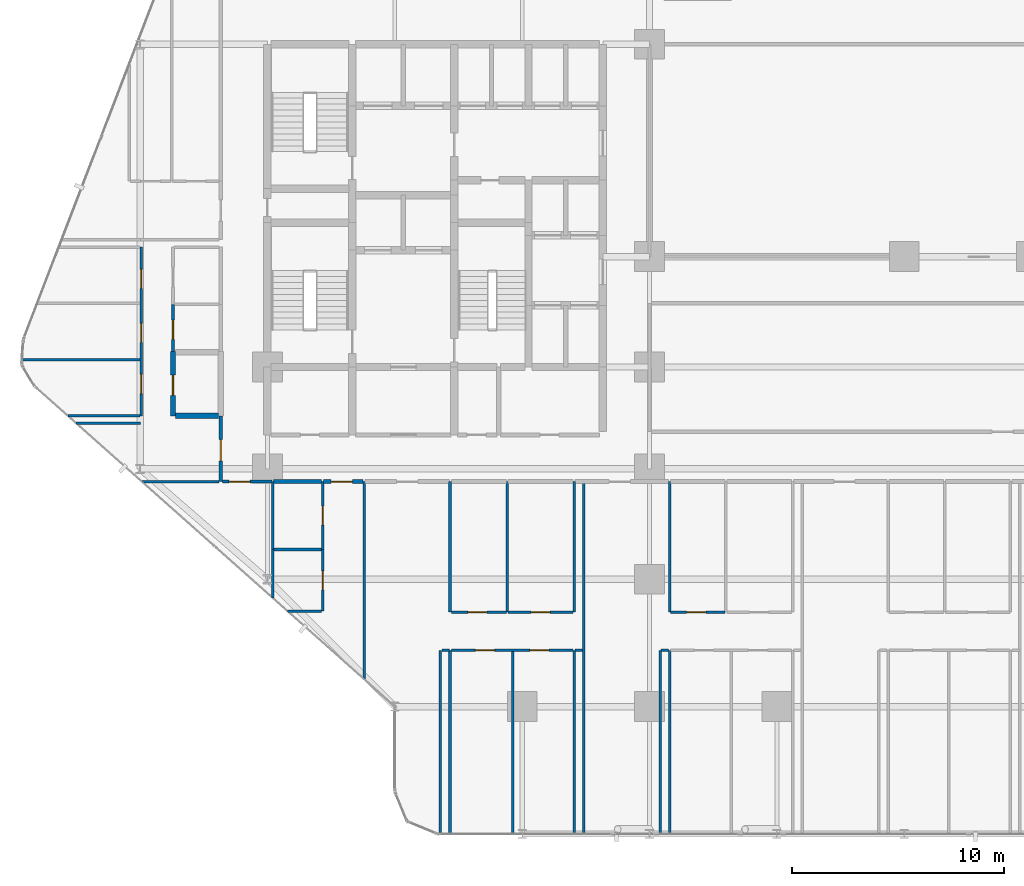
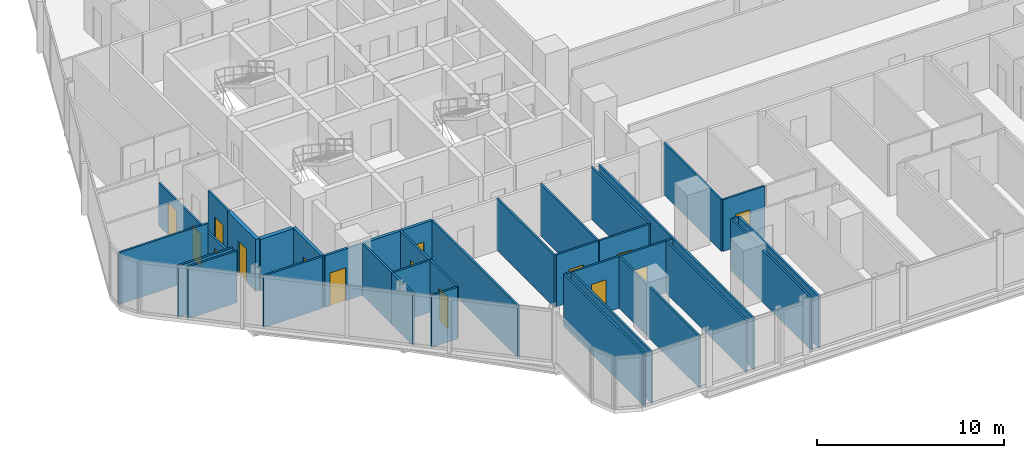
# One storey, part 26 of 34: 37 walls, 15 doors, 15 openings.
"""IFC4 building model written with IfcOpenShell, lengths in metres."""

from ifc_helpers import new_model, si_unit, direction, frame, frame_2d, origin, place, context, subcontext, project, spatial, rectangle, extrude, material, layer, layer_set, type_object, element, fill, save


model = new_model("IFC4")

# Units and contexts
model_context = context("Model", 3, precision=1e-05, world=origin(), true_north=direction((0.0, 1.0)))
body_context = subcontext(model_context, "Body", "Model", "MODEL_VIEW")
ifc_project = project(units=[si_unit("LENGTHUNIT", "METRE"), si_unit("AREAUNIT", "SQUARE_METRE"), si_unit("VOLUMEUNIT", "CUBIC_METRE"), si_unit("PLANEANGLEUNIT", "RADIAN"), si_unit("MASSUNIT", "GRAM", prefix="KILO")], contexts=[model_context])

# Site, building, storey
site_placement = place(None, origin())
site = spatial("IfcSite", under=ifc_project, at=site_placement, CompositionType="ELEMENT")
building_placement = place(site_placement, origin())
building = spatial("IfcBuilding", under=site, at=building_placement, Name="Keshet Zoharim Tower", CompositionType="ELEMENT")
storey_placement = place(building_placement, frame((0.0, 0.0, 31.39990234375)))
storey = spatial("IfcBuildingStorey", under=building, at=storey_placement, Name="L06", CompositionType="ELEMENT", Elevation=31.39990234375)

# Wall, opening, door
ifc_material_1 = material(Name="Gypsum Plasterboard", Category="gypsum")
ifc_layer_1 = layer(ifc_material_1, 0.14990234375)
ifc_layer_set_1 = layer_set([ifc_layer_1], Name="Gypsum Plasterboard")
wall_type_1 = type_object("IfcWallType", Name="WL-CLIN-150", PredefinedType="STANDARD", material=ifc_layer_set_1)
wall_1_placement = place(storey_placement, frame((12.875, 17.300048828125, 0.0), z_axis=(0.0, 0.0, 1.0), x_axis=(1.0, 0.0, 0.0)))
wall_1 = element("IfcWall", 1, at=wall_1_placement, inside=storey, type_object=wall_type_1, Name="L06 Interior Wall 146", PredefinedType="STANDARD", context=body_context, shape_type="SweptSolid", body=[
    extrude(rectangle(XDim=2.330078125, YDim=0.14990234375, at=frame_2d((1.1650390625, 0.0))), origin(), (0.0, 0.0, 1.0), 3.385009765625),
])
opening_1_placement = place(wall_1_placement, frame((0.31494140625, 0.0, 0.0)))
opening_1 = element("IfcOpeningElement", 2, at=opening_1_placement, cuts=wall_1, Name="Opening D-F310", PredefinedType="OPENING", context=body_context, shape_type="SweptSolid", body=[
    extrude(rectangle(XDim=1.0, YDim=2.14990234375, at=frame_2d((0.5, 1.074951171875))), frame((0.0, 0.0849609375, 0.0), z_axis=(0.0, -1.0, 0.0), x_axis=(1.0, 0.0, 0.0)), (0.0, 0.0, 1.0), 0.169921875),
])
ifc_material_2 = material(Name="Hardwood Timber", Category="wood")
door_type_1 = type_object("IfcDoorType", Name="DR-FD30-100", OperationType="NOTDEFINED", PredefinedType="DOOR", material=ifc_material_2)
door_1_placement = place(opening_1_placement, origin())
door_1 = element("IfcDoor", 3, at=door_1_placement, inside=storey, type_object=door_type_1, Name="L06 South West Residents Services Suite Access Door", OperationType="SINGLE_SWING_RIGHT", OverallHeight=2.14990234375, OverallWidth=1.0, PredefinedType="DOOR", context=body_context, shape_type="SweptSolid", body=[
    extrude(rectangle(XDim=1.0, YDim=2.14990234375, at=frame_2d((0.5, 1.074951171875))), frame((0.0, 0.02490234375, 0.0), z_axis=(0.0, -1.0, 0.0), x_axis=(1.0, 0.0, 0.0)), (0.0, 0.0, 1.0), 0.050048828125),
])
fill(opening_1, door_1)

ifc_layer_2 = layer(ifc_material_1, 0.179931640625)
ifc_layer_set_2 = layer_set([ifc_layer_2], Name="Gypsum Plasterboard")
wall_type_2 = type_object("IfcWallType", Name="WL-CORR-180", PredefinedType="STANDARD", material=ifc_layer_set_2)
wall_2_placement = place(storey_placement, frame((12.800048828125, 17.300048828125, 0.0), z_axis=(0.0, 0.0, 1.0), x_axis=(0.0, 1.0, 0.0)))
wall_2 = element("IfcWall", 4, at=wall_2_placement, inside=storey, type_object=wall_type_2, Name="L06 Interior Wall 007", PredefinedType="STANDARD", context=body_context, shape_type="SweptSolid", body=[
    extrude(rectangle(XDim=3.099853515625, YDim=0.179931640625, at=frame_2d((1.5498046875, 0.0))), origin(), (0.0, 0.0, 1.0), 3.385009765625),
])
opening_2_placement = place(wall_2_placement, frame((0.97802734375, 0.0, 0.0)))
opening_2 = element("IfcOpeningElement", 5, at=opening_2_placement, cuts=wall_2, Name="Opening D-F310", PredefinedType="OPENING", context=body_context, shape_type="SweptSolid", body=[
    extrude(rectangle(XDim=1.0, YDim=2.14990234375, at=frame_2d((0.5, 1.074951171875))), frame((0.0, 0.10009765625, 0.0), z_axis=(0.0, -1.0, 0.0), x_axis=(1.0, 0.0, 0.0)), (0.0, 0.0, 1.0), 0.199951171875),
])
door_2_placement = place(opening_2_placement, origin())
door_2 = element("IfcDoor", 6, at=door_2_placement, inside=storey, type_object=door_type_1, Name="Apartment 0611 Entrance Door", OperationType="SINGLE_SWING_RIGHT", OverallHeight=2.14990234375, OverallWidth=1.0, PredefinedType="DOOR", context=body_context, shape_type="SweptSolid", body=[
    extrude(rectangle(XDim=1.0, YDim=2.14990234375, at=frame_2d((0.5, 1.074951171875))), frame((0.0, 0.02490234375, 0.0), z_axis=(0.0, -1.0, 0.0), x_axis=(1.0, 0.0, 0.0)), (0.0, 0.0, 1.0), 0.050048828125),
])
fill(opening_2, door_2)

# Wall
wall_3_placement = place(storey_placement, frame((15.294921875, 17.300048828125, 0.0), z_axis=(0.0, 0.0, 1.0), x_axis=(1.0, 0.0, 0.0)))
element("IfcWall", 7, at=wall_3_placement, inside=storey, type_object=wall_type_2, Name="L06 Interior Wall 147", PredefinedType="STANDARD", context=body_context, shape_type="SweptSolid", body=[
    extrude(rectangle(XDim=2.260009765625, YDim=0.179931640625, at=frame_2d((1.1298828125, 0.0))), origin(), (0.0, 0.0, 1.0), 3.385009765625),
])

# Wall, opening, door
wall_4_placement = place(storey_placement, frame((17.64501953125, 17.300048828125, 0.0), z_axis=(0.0, 0.0, 1.0), x_axis=(1.0, 0.0, 0.0)))
wall_4 = element("IfcWall", 8, at=wall_4_placement, inside=storey, type_object=wall_type_2, Name="L06 Interior Wall 148", PredefinedType="STANDARD", context=body_context, shape_type="SweptSolid", body=[
    extrude(rectangle(XDim=1.85986328125, YDim=0.179931640625, at=frame_2d((0.929931640625, 0.0))), origin(), (0.0, 0.0, 1.0), 3.385009765625),
])
opening_3_placement = place(wall_4_placement, frame((0.35693359375, 0.0, 0.0)))
opening_3 = element("IfcOpeningElement", 9, at=opening_3_placement, cuts=wall_4, Name="Opening D-F310", PredefinedType="OPENING", context=body_context, shape_type="SweptSolid", body=[
    extrude(rectangle(XDim=1.0, YDim=2.14990234375, at=frame_2d((0.5, 1.074951171875))), frame((0.0, 0.10009765625, 0.0), z_axis=(0.0, -1.0, 0.0), x_axis=(1.0, 0.0, 0.0)), (0.0, 0.0, 1.0), 0.199951171875),
])
door_3_placement = place(opening_3_placement, origin())
door_3 = element("IfcDoor", 10, at=door_3_placement, inside=storey, type_object=door_type_1, Name="Apartment 0601 Entrance Door", OperationType="SINGLE_SWING_LEFT", OverallHeight=2.14990234375, OverallWidth=1.0, PredefinedType="DOOR", context=body_context, shape_type="SweptSolid", body=[
    extrude(rectangle(XDim=1.0, YDim=2.14990234375, at=frame_2d((0.5, 1.074951171875))), frame((0.0, 0.02490234375, 0.0), z_axis=(0.0, -1.0, 0.0), x_axis=(1.0, 0.0, 0.0)), (0.0, 0.0, 1.0), 0.050048828125),
])
fill(opening_3, door_3)

ifc_material_3 = material(Name="Concrete C50/60", Category="concrete")
ifc_layer_3 = layer(ifc_material_3, 0.25)
ifc_layer_set_3 = layer_set([ifc_layer_3], Name="Concrete C50/60")
wall_type_3 = type_object("IfcWallType", Name="WL-MAMAD-250", PredefinedType="STANDARD", material=ifc_layer_set_3)
wall_5_placement = place(storey_placement, frame((10.550048828125, 20.39990234375, 0.0), z_axis=(0.0, 0.0, 1.0), x_axis=(0.0, 1.0, 0.0)))
wall_5 = element("IfcWall", 11, at=wall_5_placement, inside=storey, type_object=wall_type_3, Name="L06 Interior Wall 004", PredefinedType="STANDARD", context=body_context, shape_type="SweptSolid", body=[
    extrude(rectangle(XDim=3.02099609375, YDim=0.25, at=frame_2d((1.510498046875, 0.0))), origin(), (0.0, 0.0, 1.0), 3.385009765625),
])
opening_4_placement = place(wall_5_placement, frame((0.964111328125, 0.0, 0.0)))
opening_4 = element("IfcOpeningElement", 12, at=opening_4_placement, cuts=wall_5, Name="Opening D-F695", PredefinedType="OPENING", context=body_context, shape_type="SweptSolid", body=[
    extrude(rectangle(XDim=0.949951171875, YDim=2.14990234375, at=frame_2d((0.47509765625, 1.074951171875))), frame((0.0, 0.135009765625, 0.0), z_axis=(0.0, -1.0, 0.0), x_axis=(1.0, 0.0, 0.0)), (0.0, 0.0, 1.0), 0.27001953125),
])
door_type_2 = type_object("IfcDoorType", Name="DR-FD60-095", OperationType="NOTDEFINED", PredefinedType="DOOR", material=ifc_material_2)
door_4_placement = place(opening_4_placement, origin())
door_4 = element("IfcDoor", 13, at=door_4_placement, inside=storey, type_object=door_type_2, Name="Apartment 0611 Study and Shelter Room Door", OperationType="SINGLE_SWING_LEFT", OverallHeight=2.14990234375, OverallWidth=0.949951171875, PredefinedType="DOOR", context=body_context, shape_type="SweptSolid", body=[
    extrude(rectangle(XDim=0.949951171875, YDim=2.14990234375, at=frame_2d((0.47509765625, 1.074951171875))), frame((0.0, 0.02490234375, 0.0), z_axis=(0.0, -1.0, 0.0), x_axis=(1.0, 0.0, 0.0)), (0.0, 0.0, 1.0), 0.050048828125),
])
fill(opening_4, door_4)

# Wall
wall_6_placement = place(storey_placement, frame((10.659912109375, 20.39990234375, 0.0), z_axis=(0.0, 0.0, 1.0), x_axis=(1.0, 0.0, 0.0)))
element("IfcWall", 14, at=wall_6_placement, inside=storey, type_object=wall_type_3, Name="L06 Interior Wall 170", PredefinedType="STANDARD", context=body_context, shape_type="SweptSolid", body=[
    extrude(rectangle(XDim=2.030029296875, YDim=0.25, at=frame_2d((1.01513671875, 0.0))), origin(), (0.0, 0.0, 1.0), 3.385009765625),
])

# Wall, openings, doors
ifc_layer_4 = layer(ifc_material_1, 0.1201171875)
ifc_layer_set_4 = layer_set([ifc_layer_4], Name="Gypsum Plasterboard")
wall_type_4 = type_object("IfcWallType", Name="WL-PART-120", PredefinedType="PARTITIONING", material=ifc_layer_set_4)
wall_7_placement = place(storey_placement, frame((9.050048828125, 20.39990234375, 0.0), z_axis=(0.0, 0.0, 1.0), x_axis=(0.0, 1.0, 0.0)))
wall_7 = element("IfcWall", 15, at=wall_7_placement, inside=storey, type_object=wall_type_4, Name="L06 Interior Wall 002", PredefinedType="PARTITIONING", context=body_context, shape_type="SweptSolid", body=[
    extrude(rectangle(XDim=7.9501953125, YDim=0.1201171875, at=frame_2d((3.97509765625, 0.0))), origin(), (0.0, 0.0, 1.0), 2.78515625),
])
opening_5_placement = place(wall_7_placement, frame((1.050048828125, 0.0, 0.0)))
opening_5 = element("IfcOpeningElement", 16, at=opening_5_placement, cuts=wall_7, Name="Opening D-IN90", PredefinedType="OPENING", context=body_context, shape_type="SweptSolid", body=[
    extrude(rectangle(XDim=0.89990234375, YDim=2.14990234375, at=frame_2d((0.449951171875, 1.074951171875))), frame((0.0, 0.070068359375, 0.0), z_axis=(0.0, -1.0, 0.0), x_axis=(1.0, 0.0, 0.0)), (0.0, 0.0, 1.0), 0.14013671875),
])
opening_6_placement = place(wall_7_placement, frame((3.455078125, 0.0, 0.0)))
opening_6 = element("IfcOpeningElement", 17, at=opening_6_placement, cuts=wall_7, Name="Opening D-IN90", PredefinedType="OPENING", context=body_context, shape_type="SweptSolid", body=[
    extrude(rectangle(XDim=0.89990234375, YDim=2.14990234375, at=frame_2d((0.449951171875, 1.074951171875))), frame((0.0, 0.070068359375, 0.0), z_axis=(0.0, -1.0, 0.0), x_axis=(1.0, 0.0, 0.0)), (0.0, 0.0, 1.0), 0.14013671875),
])
opening_7_placement = place(wall_7_placement, frame((6.0, 0.0, 0.0)))
opening_7 = element("IfcOpeningElement", 18, at=opening_7_placement, cuts=wall_7, Name="Opening D-IN90", PredefinedType="OPENING", context=body_context, shape_type="SweptSolid", body=[
    extrude(rectangle(XDim=0.89990234375, YDim=2.14990234375, at=frame_2d((0.449951171875, 1.074951171875))), frame((0.0, 0.070068359375, 0.0), z_axis=(0.0, -1.0, 0.0), x_axis=(1.0, 0.0, 0.0)), (0.0, 0.0, 1.0), 0.14013671875),
])
door_type_3 = type_object("IfcDoorType", Name="DR-INT-090", OperationType="NOTDEFINED", PredefinedType="DOOR", material=ifc_material_2)
door_5_placement = place(opening_5_placement, origin())
door_5 = element("IfcDoor", 19, at=door_5_placement, inside=storey, type_object=door_type_3, Name="Apartment 0611 Bedroom 1 Door", OperationType="SINGLE_SWING_RIGHT", OverallHeight=2.14990234375, OverallWidth=0.89990234375, PredefinedType="DOOR", context=body_context, shape_type="SweptSolid", body=[
    extrude(rectangle(XDim=0.89990234375, YDim=2.14990234375, at=frame_2d((0.449951171875, 1.074951171875))), frame((0.0, 0.02490234375, 0.0), z_axis=(0.0, -1.0, 0.0), x_axis=(1.0, 0.0, 0.0)), (0.0, 0.0, 1.0), 0.050048828125),
])
fill(opening_5, door_5)
door_6_placement = place(opening_6_placement, origin())
door_6 = element("IfcDoor", 20, at=door_6_placement, inside=storey, type_object=door_type_3, Name="Apartment 0611 Bedroom 2 Door", OperationType="SINGLE_SWING_LEFT", OverallHeight=2.14990234375, OverallWidth=0.89990234375, PredefinedType="DOOR", context=body_context, shape_type="SweptSolid", body=[
    extrude(rectangle(XDim=0.89990234375, YDim=2.14990234375, at=frame_2d((0.449951171875, 1.074951171875))), frame((0.0, 0.02490234375, 0.0), z_axis=(0.0, -1.0, 0.0), x_axis=(1.0, 0.0, 0.0)), (0.0, 0.0, 1.0), 0.050048828125),
])
fill(opening_6, door_6)
door_7_placement = place(opening_7_placement, origin())
door_7 = element("IfcDoor", 21, at=door_7_placement, inside=storey, type_object=door_type_3, Name="Apartment 0611 Bedroom 3 Door", OperationType="SINGLE_SWING_RIGHT", OverallHeight=2.14990234375, OverallWidth=0.89990234375, PredefinedType="DOOR", context=body_context, shape_type="SweptSolid", body=[
    extrude(rectangle(XDim=0.89990234375, YDim=2.14990234375, at=frame_2d((0.449951171875, 1.074951171875))), frame((0.0, 0.02490234375, 0.0), z_axis=(0.0, -1.0, 0.0), x_axis=(1.0, 0.0, 0.0)), (0.0, 0.0, 1.0), 0.050048828125),
])
fill(opening_7, door_7)

# Wall
wall_8_placement = place(storey_placement, frame((15.25, 14.10009765625, 0.0), z_axis=(0.0, 0.0, 1.0), x_axis=(0.0, 1.0, 0.0)))
element("IfcWall", 22, at=wall_8_placement, inside=storey, type_object=wall_type_4, Name="L06 Interior Wall 020", PredefinedType="PARTITIONING", context=body_context, shape_type="SweptSolid", body=[
    extrude(rectangle(XDim=3.199951171875, YDim=0.1201171875, at=frame_2d((1.60009765625, 0.0))), origin(), (0.0, 0.0, 1.0), 3.385009765625),
])

# Wall, opening, door
wall_9_placement = place(storey_placement, frame((17.60009765625, 14.10009765625, 0.0), z_axis=(0.0, 0.0, 1.0), x_axis=(0.0, 1.0, 0.0)))
wall_9 = element("IfcWall", 23, at=wall_9_placement, inside=storey, type_object=wall_type_4, Name="L06 Interior Wall 024", PredefinedType="PARTITIONING", context=body_context, shape_type="SweptSolid", body=[
    extrude(rectangle(XDim=3.199951171875, YDim=0.1201171875, at=frame_2d((1.60009765625, 0.0))), origin(), (0.0, 0.0, 1.0), 3.385009765625),
])
opening_8_placement = place(wall_9_placement, frame((1.14990234375, 0.0, 0.0)))
opening_8 = element("IfcOpeningElement", 24, at=opening_8_placement, cuts=wall_9, Name="Opening D-IN90", PredefinedType="OPENING", context=body_context, shape_type="SweptSolid", body=[
    extrude(rectangle(XDim=0.89990234375, YDim=2.14990234375, at=frame_2d((0.449951171875, 1.074951171875))), frame((0.0, 0.070068359375, 0.0), z_axis=(0.0, -1.0, 0.0), x_axis=(1.0, 0.0, 0.0)), (0.0, 0.0, 1.0), 0.14013671875),
])
door_8_placement = place(opening_8_placement, origin())
door_8 = element("IfcDoor", 25, at=door_8_placement, inside=storey, type_object=door_type_3, Name="Apartment 0601 Kitchenette Door", OperationType="SINGLE_SWING_RIGHT", OverallHeight=2.14990234375, OverallWidth=0.89990234375, PredefinedType="DOOR", context=body_context, shape_type="SweptSolid", body=[
    extrude(rectangle(XDim=0.89990234375, YDim=2.14990234375, at=frame_2d((0.449951171875, 1.074951171875))), frame((0.0, 0.02490234375, 0.0), z_axis=(0.0, -1.0, 0.0), x_axis=(1.0, 0.0, 0.0)), (0.0, 0.0, 1.0), 0.050048828125),
])
fill(opening_8, door_8)

# Walls
wall_10_placement = place(storey_placement, frame((19.550048828125, 7.9990234375, 0.0), z_axis=(0.0, 0.0, 1.0), x_axis=(0.0, 1.0, 0.0)))
element("IfcWall", 26, at=wall_10_placement, inside=storey, type_object=wall_type_4, Name="L06 Interior Wall 031", PredefinedType="PARTITIONING", context=body_context, shape_type="SweptSolid", body=[
    extrude(rectangle(XDim=9.301025390625, YDim=0.1201171875, at=frame_2d((4.650390625, 0.0))), origin(), (0.0, 0.0, 1.0), 3.385009765625),
])
for number, where, z_axis, x_axis, name in (
    (27, (23.14990234375, 0.7099609375, 0.0), (0.0, 0.0, 1.0), (0.0, 1.0, 0.0), "L06 Interior Wall 037"),
    (28, (23.60009765625, 0.7099609375, 0.0), (0.0, 0.0, 1.0), (0.0, 1.0, 0.0), "L06 Interior Wall 038"),
):
    element("IfcWall", number, at=place(storey_placement, frame(where, z_axis=z_axis, x_axis=x_axis)), inside=storey, type_object=wall_type_4, Name=name, PredefinedType="PARTITIONING", context=body_context, shape_type="SweptSolid", body=[
        extrude(rectangle(XDim=8.64013671875, YDim=0.1201171875, at=frame_2d((4.320068359375, 0.0))), origin(), (0.0, 0.0, 1.0), 3.385009765625),
    ])
wall_11_placement = place(storey_placement, frame((23.60009765625, 11.14990234375, 0.0), z_axis=(0.0, 0.0, 1.0), x_axis=(0.0, 1.0, 0.0)))
element("IfcWall", 29, at=wall_11_placement, inside=storey, type_object=wall_type_4, Name="L06 Interior Wall 039", PredefinedType="PARTITIONING", context=body_context, shape_type="SweptSolid", body=[
    extrude(rectangle(XDim=6.150146484375, YDim=0.1201171875, at=frame_2d((3.0751953125, 0.0))), origin(), (0.0, 0.0, 1.0), 3.385009765625),
])
for number, where, z_axis, x_axis, name in (
    (30, (26.550048828125, 0.7099609375, 0.0), (0.0, 0.0, 1.0), (0.0, 1.0, 0.0), "L06 Interior Wall 050"),
    (31, (29.449951171875, 0.7099609375, 0.0), (0.0, 0.0, 1.0), (0.0, 1.0, 0.0), "L06 Interior Wall 062"),
):
    element("IfcWall", number, at=place(storey_placement, frame(where, z_axis=z_axis, x_axis=x_axis)), inside=storey, type_object=wall_type_4, Name=name, PredefinedType="PARTITIONING", context=body_context, shape_type="SweptSolid", body=[
        extrude(rectangle(XDim=8.64013671875, YDim=0.1201171875, at=frame_2d((4.320068359375, 0.0))), origin(), (0.0, 0.0, 1.0), 3.385009765625),
    ])
wall_12_placement = place(storey_placement, frame((29.89990234375, 0.7099609375, 0.0), z_axis=(0.0, 0.0, 1.0), x_axis=(0.0, 1.0, 0.0)))
element("IfcWall", 32, at=wall_12_placement, inside=storey, type_object=wall_type_4, Name="L06 Interior Wall 064", PredefinedType="PARTITIONING", context=body_context, shape_type="SweptSolid", body=[
    extrude(rectangle(XDim=16.590087890625, YDim=0.1201171875, at=frame_2d((8.294921875, 0.0))), origin(), (0.0, 0.0, 1.0), 3.385009765625),
])
for number, where, z_axis, x_axis, name in (
    (33, (33.5, 0.7099609375, 0.0), (0.0, 0.0, 1.0), (0.0, 1.0, 0.0), "L06 Interior Wall 075"),
    (34, (33.949951171875, 0.7099609375, 0.0), (0.0, 0.0, 1.0), (0.0, 1.0, 0.0), "L06 Interior Wall 078"),
):
    element("IfcWall", number, at=place(storey_placement, frame(where, z_axis=z_axis, x_axis=x_axis)), inside=storey, type_object=wall_type_4, Name=name, PredefinedType="PARTITIONING", context=body_context, shape_type="SweptSolid", body=[
        extrude(rectangle(XDim=8.64013671875, YDim=0.1201171875, at=frame_2d((4.320068359375, 0.0))), origin(), (0.0, 0.0, 1.0), 3.385009765625),
    ])
wall_13_placement = place(storey_placement, frame((33.949951171875, 11.14990234375, 0.0), z_axis=(0.0, 0.0, 1.0), x_axis=(0.0, 1.0, 0.0)))
element("IfcWall", 35, at=wall_13_placement, inside=storey, type_object=wall_type_4, Name="L06 Interior Wall 079", PredefinedType="PARTITIONING", context=body_context, shape_type="SweptSolid", body=[
    extrude(rectangle(XDim=6.150146484375, YDim=0.1201171875, at=frame_2d((3.0751953125, 0.0))), origin(), (0.0, 0.0, 1.0), 3.385009765625),
])
wall_14_placement = place(storey_placement, frame((23.215087890625, 9.35009765625, 0.0), z_axis=(0.0, 0.0, 1.0), x_axis=(1.0, 0.0, 0.0)))
element("IfcWall", 36, at=wall_14_placement, inside=storey, type_object=wall_type_4, Name="L06 Interior Wall 124", PredefinedType="PARTITIONING", context=body_context, shape_type="SweptSolid", body=[
    extrude(rectangle(XDim=0.35986328125, YDim=0.1201171875, at=frame_2d((0.179931640625, 0.0))), origin(), (0.0, 0.0, 1.0), 3.385009765625),
])

# Wall, openings, doors
wall_15_placement = place(storey_placement, frame((23.6650390625, 9.35009765625, 0.0), z_axis=(0.0, 0.0, 1.0), x_axis=(1.0, 0.0, 0.0)))
wall_15 = element("IfcWall", 37, at=wall_15_placement, inside=storey, type_object=wall_type_4, Name="L06 Interior Wall 125", PredefinedType="PARTITIONING", context=body_context, shape_type="SweptSolid", body=[
    extrude(rectangle(XDim=5.72998046875, YDim=0.1201171875, at=frame_2d((2.864990234375, 0.0))), origin(), (0.0, 0.0, 1.0), 3.385009765625),
])
opening_9_placement = place(wall_15_placement, frame((1.135009765625, 0.0, 0.0)))
opening_9 = element("IfcOpeningElement", 38, at=opening_9_placement, cuts=wall_15, Name="Opening D-IN90", PredefinedType="OPENING", context=body_context, shape_type="SweptSolid", body=[
    extrude(rectangle(XDim=0.89990234375, YDim=2.14990234375, at=frame_2d((0.449951171875, 1.074951171875))), frame((0.0, 0.070068359375, 0.0), z_axis=(0.0, -1.0, 0.0), x_axis=(1.0, 0.0, 0.0)), (0.0, 0.0, 1.0), 0.14013671875),
])
opening_10_placement = place(wall_15_placement, frame((3.695068359375, 0.0, 0.0)))
opening_10 = element("IfcOpeningElement", 39, at=opening_10_placement, cuts=wall_15, Name="Opening D-IN90", PredefinedType="OPENING", context=body_context, shape_type="SweptSolid", body=[
    extrude(rectangle(XDim=0.89990234375, YDim=2.14990234375, at=frame_2d((0.449951171875, 1.074951171875))), frame((0.0, 0.070068359375, 0.0), z_axis=(0.0, -1.0, 0.0), x_axis=(1.0, 0.0, 0.0)), (0.0, 0.0, 1.0), 0.14013671875),
])
door_9_placement = place(opening_9_placement, origin())
door_9 = element("IfcDoor", 40, at=door_9_placement, inside=storey, type_object=door_type_3, Name="Apartment 0602 Bedroom 1 Door", OperationType="SINGLE_SWING_RIGHT", OverallHeight=2.14990234375, OverallWidth=0.89990234375, PredefinedType="DOOR", context=body_context, shape_type="SweptSolid", body=[
    extrude(rectangle(XDim=0.89990234375, YDim=2.14990234375, at=frame_2d((0.449951171875, 1.074951171875))), frame((0.0, 0.02490234375, 0.0), z_axis=(0.0, -1.0, 0.0), x_axis=(1.0, 0.0, 0.0)), (0.0, 0.0, 1.0), 0.050048828125),
])
fill(opening_9, door_9)
door_10_placement = place(opening_10_placement, origin())
door_10 = element("IfcDoor", 41, at=door_10_placement, inside=storey, type_object=door_type_3, Name="Apartment 0602 Bedroom 2 Door", OperationType="SINGLE_SWING_LEFT", OverallHeight=2.14990234375, OverallWidth=0.89990234375, PredefinedType="DOOR", context=body_context, shape_type="SweptSolid", body=[
    extrude(rectangle(XDim=0.89990234375, YDim=2.14990234375, at=frame_2d((0.449951171875, 1.074951171875))), frame((0.0, 0.02490234375, 0.0), z_axis=(0.0, -1.0, 0.0), x_axis=(1.0, 0.0, 0.0)), (0.0, 0.0, 1.0), 0.050048828125),
])
fill(opening_10, door_10)

# Walls
wall_16_placement = place(storey_placement, frame((29.485107421875, 9.35009765625, 0.0), z_axis=(0.0, 0.0, 1.0), x_axis=(1.0, 0.0, 0.0)))
element("IfcWall", 42, at=wall_16_placement, inside=storey, type_object=wall_type_4, Name="L06 Interior Wall 126", PredefinedType="PARTITIONING", context=body_context, shape_type="SweptSolid", body=[
    extrude(rectangle(XDim=0.35986328125, YDim=0.1201171875, at=frame_2d((0.179931640625, 0.0))), origin(), (0.0, 0.0, 1.0), 3.385009765625),
])
wall_17_placement = place(storey_placement, frame((33.534912109375, 9.35009765625, 0.0), z_axis=(0.0, 0.0, 1.0), x_axis=(1.0, 0.0, 0.0)))
element("IfcWall", 43, at=wall_17_placement, inside=storey, type_object=wall_type_4, Name="L06 Interior Wall 127", PredefinedType="PARTITIONING", context=body_context, shape_type="SweptSolid", body=[
    extrude(rectangle(XDim=0.360107421875, YDim=0.1201171875, at=frame_2d((0.18017578125, 0.0))), origin(), (0.0, 0.0, 1.0), 3.385009765625),
])

# Wall, opening, door
wall_18_placement = place(storey_placement, frame((23.6650390625, 11.14990234375, 0.0), z_axis=(0.0, 0.0, 1.0), x_axis=(1.0, 0.0, 0.0)))
wall_18 = element("IfcWall", 44, at=wall_18_placement, inside=storey, type_object=wall_type_4, Name="L06 Interior Wall 133", PredefinedType="PARTITIONING", context=body_context, shape_type="SweptSolid", body=[
    extrude(rectangle(XDim=2.5869140625, YDim=0.1201171875, at=frame_2d((1.29345703125, 0.0))), origin(), (0.0, 0.0, 1.0), 3.385009765625),
])
opening_11_placement = place(wall_18_placement, frame((0.77294921875, 0.0, 0.0)))
opening_11 = element("IfcOpeningElement", 45, at=opening_11_placement, cuts=wall_18, Name="Opening D-IN90", PredefinedType="OPENING", context=body_context, shape_type="SweptSolid", body=[
    extrude(rectangle(XDim=0.89990234375, YDim=2.14990234375, at=frame_2d((0.449951171875, 1.074951171875))), frame((0.0, 0.070068359375, 0.0), z_axis=(0.0, -1.0, 0.0), x_axis=(1.0, 0.0, 0.0)), (0.0, 0.0, 1.0), 0.14013671875),
])
door_11_placement = place(opening_11_placement, origin())
door_11 = element("IfcDoor", 46, at=door_11_placement, inside=storey, type_object=door_type_3, Name="Apartment 0602 Kitchen Door", OperationType="SINGLE_SWING_RIGHT", OverallHeight=2.14990234375, OverallWidth=0.89990234375, PredefinedType="DOOR", context=body_context, shape_type="SweptSolid", body=[
    extrude(rectangle(XDim=0.89990234375, YDim=2.14990234375, at=frame_2d((0.449951171875, 1.074951171875))), frame((0.0, 0.02490234375, 0.0), z_axis=(0.0, -1.0, 0.0), x_axis=(1.0, 0.0, 0.0)), (0.0, 0.0, 1.0), 0.050048828125),
])
fill(opening_11, door_11)

wall_19_placement = place(storey_placement, frame((33.985107421875, 11.14990234375, 0.0), z_axis=(0.0, 0.0, 1.0), x_axis=(1.0, 0.0, 0.0)))
wall_19 = element("IfcWall", 47, at=wall_19_placement, inside=storey, type_object=wall_type_4, Name="L06 Interior Wall 135", PredefinedType="PARTITIONING", context=body_context, shape_type="SweptSolid", body=[
    extrude(rectangle(XDim=2.572998046875, YDim=0.1201171875, at=frame_2d((1.28662109375, 0.0))), origin(), (0.0, 0.0, 1.0), 3.385009765625),
])
opening_12_placement = place(wall_19_placement, frame((0.76611328125, 0.0, 0.0)))
opening_12 = element("IfcOpeningElement", 48, at=opening_12_placement, cuts=wall_19, Name="Opening D-IN90", PredefinedType="OPENING", context=body_context, shape_type="SweptSolid", body=[
    extrude(rectangle(XDim=0.89990234375, YDim=2.14990234375, at=frame_2d((0.449951171875, 1.074951171875))), frame((0.0, 0.070068359375, 0.0), z_axis=(0.0, -1.0, 0.0), x_axis=(1.0, 0.0, 0.0)), (0.0, 0.0, 1.0), 0.14013671875),
])
door_12_placement = place(opening_12_placement, origin())
door_12 = element("IfcDoor", 49, at=door_12_placement, inside=storey, type_object=door_type_3, Name="Apartment 0603 Kitchen Door", OperationType="SINGLE_SWING_RIGHT", OverallHeight=2.14990234375, OverallWidth=0.89990234375, PredefinedType="DOOR", context=body_context, shape_type="SweptSolid", body=[
    extrude(rectangle(XDim=0.89990234375, YDim=2.14990234375, at=frame_2d((0.449951171875, 1.074951171875))), frame((0.0, 0.02490234375, 0.0), z_axis=(0.0, -1.0, 0.0), x_axis=(1.0, 0.0, 0.0)), (0.0, 0.0, 1.0), 0.050048828125),
])
fill(opening_12, door_12)

# Walls
wall_20_placement = place(storey_placement, frame((9.0849609375, 17.300048828125, 0.0), z_axis=(0.0, 0.0, 1.0), x_axis=(1.0, 0.0, 0.0)))
element("IfcWall", 50, at=wall_20_placement, inside=storey, type_object=wall_type_4, Name="L06 Interior Wall 145", PredefinedType="PARTITIONING", context=body_context, shape_type="SweptSolid", body=[
    extrude(rectangle(XDim=3.64013671875, YDim=0.1201171875, at=frame_2d((1.820068359375, 0.0))), origin(), (0.0, 0.0, 1.0), 3.385009765625),
])
wall_21_placement = place(storey_placement, frame((5.990966796875, 20.050048828125, 0.0), z_axis=(0.0, 0.0, 1.0), x_axis=(1.0, 0.0, 0.0)))
element("IfcWall", 51, at=wall_21_placement, inside=storey, type_object=wall_type_4, Name="L06 Interior Wall 168", PredefinedType="PARTITIONING", context=body_context, shape_type="SweptSolid", body=[
    extrude(rectangle(XDim=3.0390625, YDim=0.1201171875, at=frame_2d((1.51953125, 0.0))), origin(), (0.0, 0.0, 1.0), 3.385009765625),
])
wall_22_placement = place(storey_placement, frame((5.597900390625, 20.39990234375, 0.0), z_axis=(0.0, 0.0, 1.0), x_axis=(1.0, 0.0, 0.0)))
element("IfcWall", 52, at=wall_22_placement, inside=storey, type_object=wall_type_4, Name="L06 Interior Wall 169", PredefinedType="PARTITIONING", context=body_context, shape_type="SweptSolid", body=[
    extrude(rectangle(XDim=3.38720703125, YDim=0.1201171875, at=frame_2d((1.693603515625, 0.0))), origin(), (0.0, 0.0, 1.0), 3.385009765625),
])
wall_23_placement = place(storey_placement, frame((3.446044921875, 23.050048828125, 0.0), z_axis=(0.0, 0.0, 1.0), x_axis=(1.0, 0.0, 0.0)))
element("IfcWall", 53, at=wall_23_placement, inside=storey, type_object=wall_type_4, Name="L06 Interior Wall 176", PredefinedType="PARTITIONING", context=body_context, shape_type="SweptSolid", body=[
    extrude(rectangle(XDim=5.5390625, YDim=0.1201171875, at=frame_2d((2.76953125, 0.0))), origin(), (0.0, 0.0, 1.0), 3.385009765625),
])

# Wall, opening, door
ifc_layer_5 = layer(ifc_material_1, 0.1201171875)
ifc_layer_set_5 = layer_set([ifc_layer_5], Name="Gypsum Plasterboard")
wall_type_5 = type_object("IfcWallType", Name="WL-WET-120", PredefinedType="PARTITIONING", material=ifc_layer_set_5)
wall_24_placement = place(storey_placement, frame((10.550048828125, 23.4208984375, 0.0), z_axis=(0.0, 0.0, 1.0), x_axis=(0.0, 1.0, 0.0)))
wall_24 = element("IfcWall", 54, at=wall_24_placement, inside=storey, type_object=wall_type_5, Name="L06 Interior Wall 005", PredefinedType="PARTITIONING", context=body_context, shape_type="SweptSolid", body=[
    extrude(rectangle(XDim=2.22607421875, YDim=0.1201171875, at=frame_2d((1.113037109375, 0.0))), origin(), (0.0, 0.0, 1.0), 3.385009765625),
])
opening_13_placement = place(wall_24_placement, frame((0.583984375, 0.0, 0.0)))
opening_13 = element("IfcOpeningElement", 55, at=opening_13_placement, cuts=wall_24, Name="Opening D-WT90", PredefinedType="OPENING", context=body_context, shape_type="SweptSolid", body=[
    extrude(rectangle(XDim=0.89990234375, YDim=2.10009765625, at=frame_2d((0.449951171875, 1.050048828125))), frame((0.0, 0.070068359375, 0.0), z_axis=(0.0, -1.0, 0.0), x_axis=(1.0, 0.0, 0.0)), (0.0, 0.0, 1.0), 0.14013671875),
])
door_type_4 = type_object("IfcDoorType", Name="DR-WET-090", OperationType="NOTDEFINED", PredefinedType="DOOR", material=ifc_material_2)
door_13_placement = place(opening_13_placement, origin())
door_13 = element("IfcDoor", 56, at=door_13_placement, inside=storey, type_object=door_type_4, Name="Apartment 0611 Bathroom Door", OperationType="SINGLE_SWING_RIGHT", OverallHeight=2.10009765625, OverallWidth=0.89990234375, PredefinedType="DOOR", context=body_context, shape_type="SweptSolid", body=[
    extrude(rectangle(XDim=0.89990234375, YDim=2.10009765625, at=frame_2d((0.449951171875, 1.050048828125))), frame((0.0, 0.02490234375, 0.0), z_axis=(0.0, -1.0, 0.0), x_axis=(1.0, 0.0, 0.0)), (0.0, 0.0, 1.0), 0.050048828125),
])
fill(opening_13, door_13)

# Wall
wall_25_placement = place(storey_placement, frame((15.25, 11.821044921875, 0.0), z_axis=(0.0, 0.0, 1.0), x_axis=(0.0, 1.0, 0.0)))
element("IfcWall", 57, at=wall_25_placement, inside=storey, type_object=wall_type_5, Name="L06 Interior Wall 019", PredefinedType="PARTITIONING", context=body_context, shape_type="SweptSolid", body=[
    extrude(rectangle(XDim=2.279052734375, YDim=0.1201171875, at=frame_2d((1.1396484375, 0.0))), origin(), (0.0, 0.0, 1.0), 3.385009765625),
])

# Wall, opening, door
wall_26_placement = place(storey_placement, frame((17.60009765625, 11.199951171875, 0.0), z_axis=(0.0, 0.0, 1.0), x_axis=(0.0, 1.0, 0.0)))
wall_26 = element("IfcWall", 58, at=wall_26_placement, inside=storey, type_object=wall_type_5, Name="L06 Interior Wall 023", PredefinedType="PARTITIONING", context=body_context, shape_type="SweptSolid", body=[
    extrude(rectangle(XDim=2.900146484375, YDim=0.1201171875, at=frame_2d((1.4501953125, 0.0))), origin(), (0.0, 0.0, 1.0), 3.385009765625),
])
opening_14_placement = place(wall_26_placement, frame((1.0, 0.0, 0.0)))
opening_14 = element("IfcOpeningElement", 59, at=opening_14_placement, cuts=wall_26, Name="Opening D-WT90", PredefinedType="OPENING", context=body_context, shape_type="SweptSolid", body=[
    extrude(rectangle(XDim=0.89990234375, YDim=2.10009765625, at=frame_2d((0.449951171875, 1.050048828125))), frame((0.0, 0.070068359375, 0.0), z_axis=(0.0, -1.0, 0.0), x_axis=(1.0, 0.0, 0.0)), (0.0, 0.0, 1.0), 0.14013671875),
])
door_14_placement = place(opening_14_placement, origin())
door_14 = element("IfcDoor", 60, at=door_14_placement, inside=storey, type_object=door_type_4, Name="Apartment 0601 Bathroom Door", OperationType="SINGLE_SWING_LEFT", OverallHeight=2.10009765625, OverallWidth=0.89990234375, PredefinedType="DOOR", context=body_context, shape_type="SweptSolid", body=[
    extrude(rectangle(XDim=0.89990234375, YDim=2.10009765625, at=frame_2d((0.449951171875, 1.050048828125))), frame((0.0, 0.02490234375, 0.0), z_axis=(0.0, -1.0, 0.0), x_axis=(1.0, 0.0, 0.0)), (0.0, 0.0, 1.0), 0.050048828125),
])
fill(opening_14, door_14)

# Walls
for number, where, z_axis, x_axis, name in (
    (61, (26.300048828125, 11.14990234375, 0.0), (0.0, 0.0, 1.0), (0.0, 1.0, 0.0), "L06 Interior Wall 049"),
    (62, (29.449951171875, 11.14990234375, 0.0), (0.0, 0.0, 1.0), (0.0, 1.0, 0.0), "L06 Interior Wall 063"),
):
    element("IfcWall", number, at=place(storey_placement, frame(where, z_axis=z_axis, x_axis=x_axis)), inside=storey, type_object=wall_type_5, Name=name, PredefinedType="PARTITIONING", context=body_context, shape_type="SweptSolid", body=[
        extrude(rectangle(XDim=6.150146484375, YDim=0.1201171875, at=frame_2d((3.0751953125, 0.0))), origin(), (0.0, 0.0, 1.0), 3.385009765625),
    ])

# Wall, opening, door
wall_27_placement = place(storey_placement, frame((26.342041015625, 11.14990234375, 0.0), z_axis=(0.0, 0.0, 1.0), x_axis=(1.0, 0.0, 0.0)))
wall_27 = element("IfcWall", 63, at=wall_27_placement, inside=storey, type_object=wall_type_5, Name="L06 Interior Wall 134", PredefinedType="PARTITIONING", context=body_context, shape_type="SweptSolid", body=[
    extrude(rectangle(XDim=3.052978515625, YDim=0.1201171875, at=frame_2d((1.5263671875, 0.0))), origin(), (0.0, 0.0, 1.0), 3.385009765625),
])
opening_15_placement = place(wall_27_placement, frame((1.076904296875, 0.0, 0.0)))
opening_15 = element("IfcOpeningElement", 64, at=opening_15_placement, cuts=wall_27, Name="Opening D-WT90", PredefinedType="OPENING", context=body_context, shape_type="SweptSolid", body=[
    extrude(rectangle(XDim=0.89990234375, YDim=2.10009765625, at=frame_2d((0.449951171875, 1.050048828125))), frame((0.0, 0.070068359375, 0.0), z_axis=(0.0, -1.0, 0.0), x_axis=(1.0, 0.0, 0.0)), (0.0, 0.0, 1.0), 0.14013671875),
])
door_15_placement = place(opening_15_placement, origin())
door_15 = element("IfcDoor", 65, at=door_15_placement, inside=storey, type_object=door_type_4, Name="Apartment 0602 Bathroom Door", OperationType="SINGLE_SWING_LEFT", OverallHeight=2.10009765625, OverallWidth=0.89990234375, PredefinedType="DOOR", context=body_context, shape_type="SweptSolid", body=[
    extrude(rectangle(XDim=0.89990234375, YDim=2.10009765625, at=frame_2d((0.449951171875, 1.050048828125))), frame((0.0, 0.02490234375, 0.0), z_axis=(0.0, -1.0, 0.0), x_axis=(1.0, 0.0, 0.0)), (0.0, 0.0, 1.0), 0.050048828125),
])
fill(opening_15, door_15)

# Walls
wall_28_placement = place(storey_placement, frame((15.947998046875, 11.199951171875, 0.0), z_axis=(0.0, 0.0, 1.0), x_axis=(1.0, 0.0, 0.0)))
element("IfcWall", 66, at=wall_28_placement, inside=storey, type_object=wall_type_5, Name="L06 Interior Wall 139", PredefinedType="PARTITIONING", context=body_context, shape_type="SweptSolid", body=[
    extrude(rectangle(XDim=1.60693359375, YDim=0.1201171875, at=frame_2d((0.803466796875, 0.0))), origin(), (0.0, 0.0, 1.0), 3.385009765625),
])
wall_29_placement = place(storey_placement, frame((15.294921875, 14.10009765625, 0.0), z_axis=(0.0, 0.0, 1.0), x_axis=(1.0, 0.0, 0.0)))
element("IfcWall", 67, at=wall_29_placement, inside=storey, type_object=wall_type_5, Name="L06 Interior Wall 142", PredefinedType="PARTITIONING", context=body_context, shape_type="SweptSolid", body=[
    extrude(rectangle(XDim=2.260009765625, YDim=0.1201171875, at=frame_2d((1.1298828125, 0.0))), origin(), (0.0, 0.0, 1.0), 3.385009765625),
])

save(model, "model.ifc")
